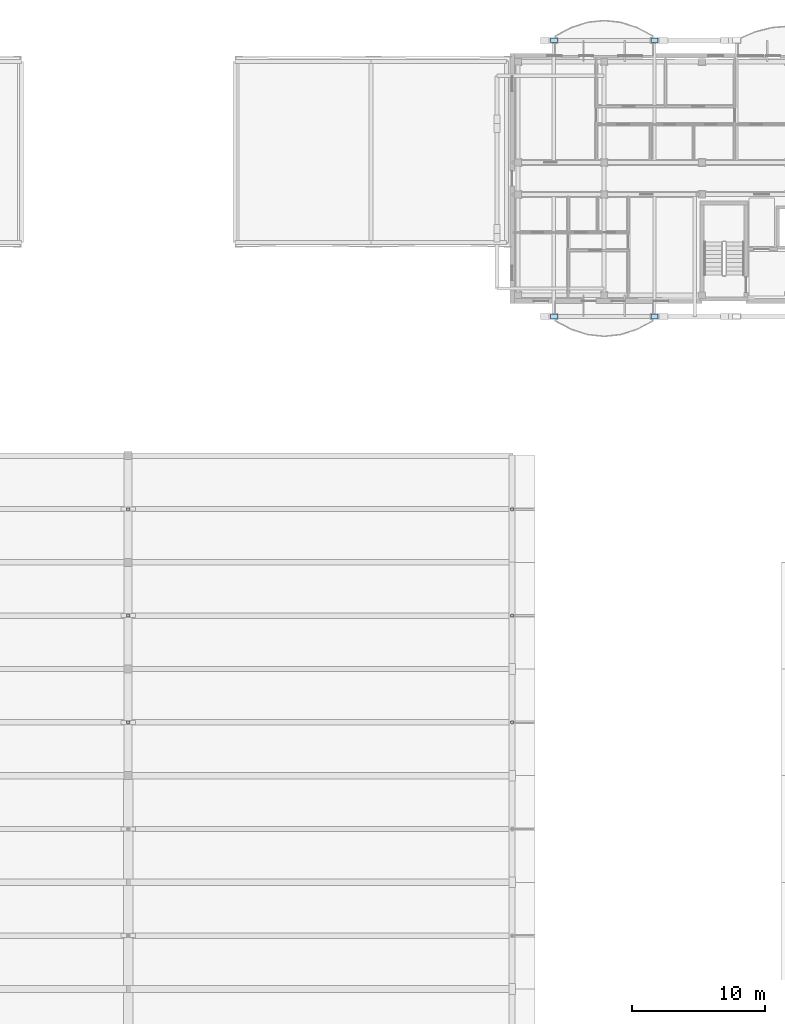
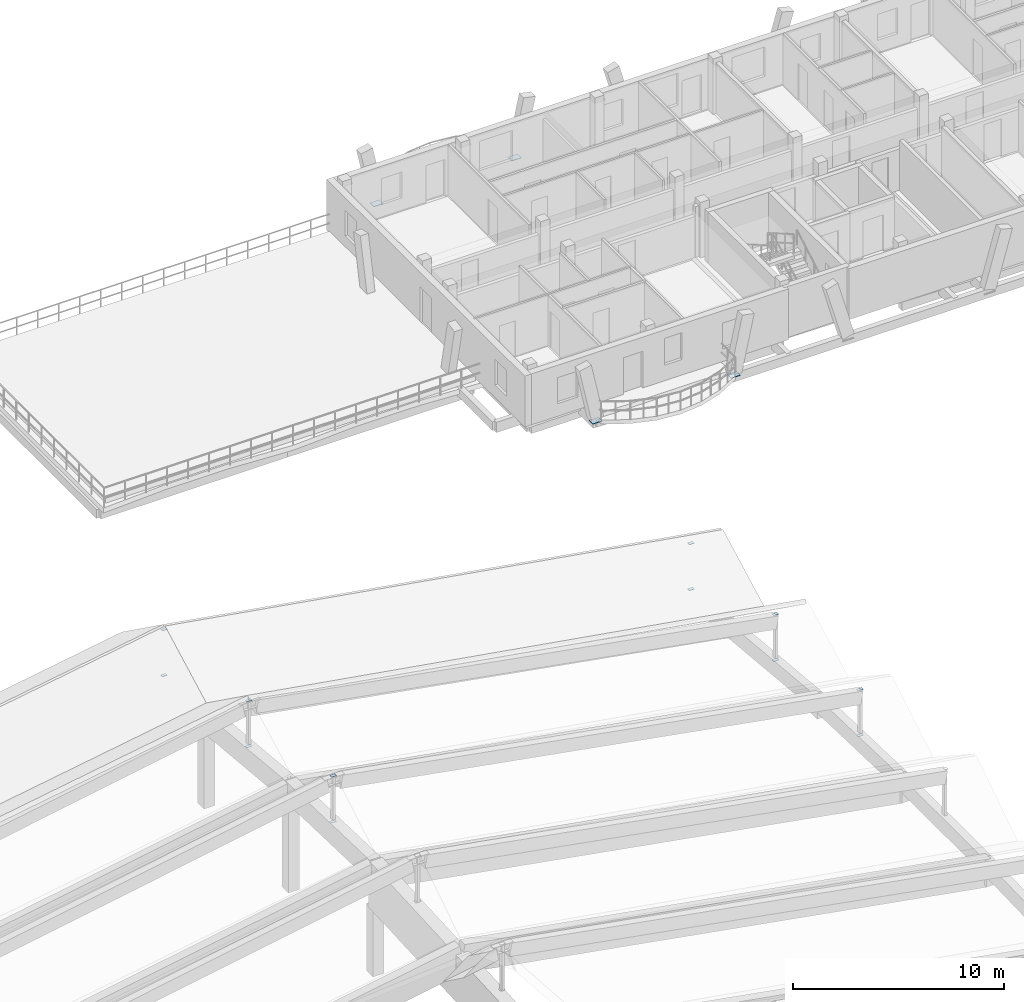
# One storey, part 61 of 109: 16 plates.
"""IFC4 building model written with IfcOpenShell, lengths in metres."""

from ifc_helpers import new_model, si_unit, direction, frame, origin, origin_2d, place, context, subcontext, project, spatial, rectangle, extrude, material, layer, layer_set, type_object, element, save


model = new_model("IFC4")

# Units and contexts
model_context = context("Model", 3, precision=1e-05, world=origin(), true_north=direction((0.0, 1.0)))
body_context = subcontext(model_context, "Body", "Model", "MODEL_VIEW")
ifc_project = project(units=[si_unit("LENGTHUNIT", "METRE"), si_unit("AREAUNIT", "SQUARE_METRE"), si_unit("VOLUMEUNIT", "CUBIC_METRE"), si_unit("PLANEANGLEUNIT", "RADIAN"), si_unit("MASSUNIT", "GRAM", prefix="KILO")], contexts=[model_context])

# Site, building, storey
site_placement = place(None, origin())
site = spatial("IfcSite", under=ifc_project, at=site_placement, CompositionType="ELEMENT")
building_placement = place(site_placement, origin())
building = spatial("IfcBuilding", under=site, at=building_placement, Name="Zavelmont Quarter", CompositionType="ELEMENT")
storey_placement = place(building_placement, frame((0.0, 0.0, 8.0)))
storey = spatial("IfcBuildingStorey", under=building, at=storey_placement, Name="L02", CompositionType="ELEMENT", Elevation=8.0)

# Plates
ifc_material = material(Name="Steel S355", Category="steel")
ifc_layer_1 = layer(ifc_material, 0.02001953125)
ifc_layer_set_1 = layer_set([ifc_layer_1], Name="Steel S355")
plate_type_1 = type_object("IfcPlateType", Name="NP01", PredefinedType="SHEET", material=ifc_layer_set_1)
for number, where, z_axis, x_axis, name in (
    (1, (112.800048828125, 66.0, 1.169921875), (0.0, 0.0, 1.0), (1.0, 0.0, 0.0), "L02 steel connection plate NP01 at 17/K"),
    (2, (112.800048828125, 66.0, 3.820068359375), (0.0, 0.0, 1.0), (1.0, 0.0, 0.0), "L02 steel connection plate NP01 at 17/K"),
    (3, (84.0, 66.0, 6.27001953125), (0.0, 0.0, 1.0), (1.0, 0.0, 0.0), "L02 steel connection plate NP01 at 13/K"),
    (4, (84.0, 66.0, 8.919921875), (0.0, 0.0, 1.0), (1.0, 0.0, 0.0), "L02 steel connection plate NP01 at 13/K"),
    (5, (112.800048828125, 74.0, 0.669921875), (0.0, 0.0, 1.0), (1.0, 0.0, 0.0), "L02 steel connection plate NP01 at 17/L"),
    (6, (112.800048828125, 74.0, 3.320068359375), (0.0, 0.0, 1.0), (1.0, 0.0, 0.0), "L02 steel connection plate NP01 at 17/L"),
    (7, (84.0, 74.0, 5.77001953125), (0.0, 0.0, 1.0), (1.0, 0.0, 0.0), "L02 steel connection plate NP01 at 13/L"),
    (8, (84.0, 74.0, 8.419921875), (0.0, 0.0, 1.0), (1.0, 0.0, 0.0), "L02 steel connection plate NP01 at 13/L"),
    (9, (112.800048828125, 82.0, -0.080078125), (0.0, 0.0, 1.0), (1.0, 0.0, 0.0), "L02 steel connection plate NP01 at 17/M"),
    (10, (112.800048828125, 82.0, 2.570068359375), (0.0, 0.0, 1.0), (1.0, 0.0, 0.0), "L02 steel connection plate NP01 at 17/M"),
    (11, (84.0, 82.0, 5.02001953125), (0.0, 0.0, 1.0), (1.0, 0.0, 0.0), "L02 steel connection plate NP01 at 13/M"),
    (12, (84.0, 82.0, 7.669921875), (0.0, 0.0, 1.0), (1.0, 0.0, 0.0), "L02 steel connection plate NP01 at 13/M"),
):
    element("IfcPlate", number, at=place(storey_placement, frame(where, z_axis=z_axis, x_axis=x_axis)), inside=storey, type_object=plate_type_1, Name=name, PredefinedType="SHEET", context=body_context, shape_type="SweptSolid", body=[
        extrude(rectangle(XDim=0.280029296875, YDim=0.179931640625, at=origin_2d()), origin(), (0.0, 0.0, 1.0), 0.02001953125),
    ])
ifc_layer_2 = layer(ifc_material, 0.028076171875)
ifc_layer_set_2 = layer_set([ifc_layer_2], Name="Steel S355")
plate_type_2 = type_object("IfcPlateType", Name="NP04", PredefinedType="SHEET", material=ifc_layer_set_2)
for number, where, z_axis, x_axis, name in (
    (13, (115.92578125, 117.162109375, -0.2138671875), (0.0, 0.0, 1.0), (1.0, 0.0, 0.0), "L02 steel connection plate NP04 at 17/S"),
    (14, (123.47412109375, 117.162109375, -0.2138671875), (0.0, 0.0, 1.0), (1.0, 0.0, 0.0), "L02 steel connection plate NP04 at 19/S"),
    (15, (115.92578125, 96.43798828125, -0.2138671875), (0.0, 0.0, 1.0), (1.0, 0.0, 0.0), "L02 steel connection plate NP04 at 17/P"),
    (16, (123.47412109375, 96.43798828125, -0.2138671875), (0.0, 0.0, 1.0), (1.0, 0.0, 0.0), "L02 steel connection plate NP04 at 19/P"),
):
    element("IfcPlate", number, at=place(storey_placement, frame(where, z_axis=z_axis, x_axis=x_axis)), inside=storey, type_object=plate_type_2, Name=name, PredefinedType="SHEET", context=body_context, shape_type="SweptSolid", body=[
        extrude(rectangle(XDim=0.52001953125, YDim=0.360107421875, at=origin_2d()), origin(), (0.0, 0.0, 1.0), 0.028076171875),
    ])

save(model, "model.ifc")
